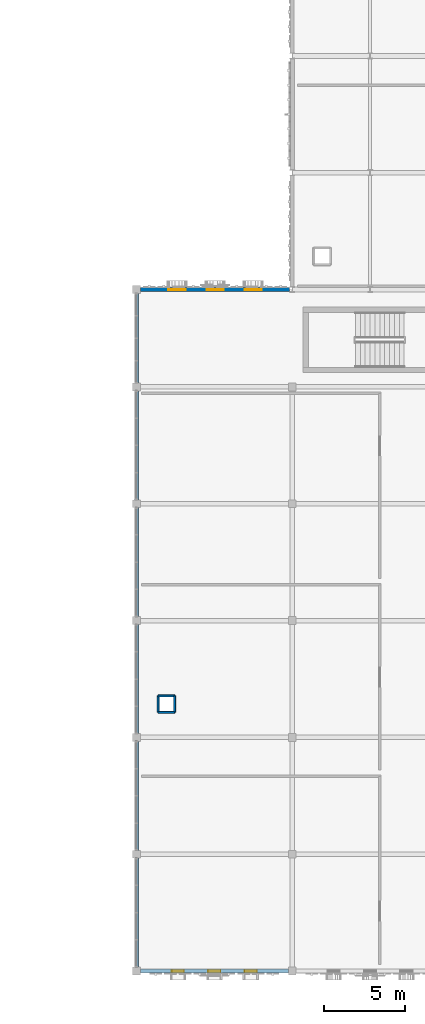
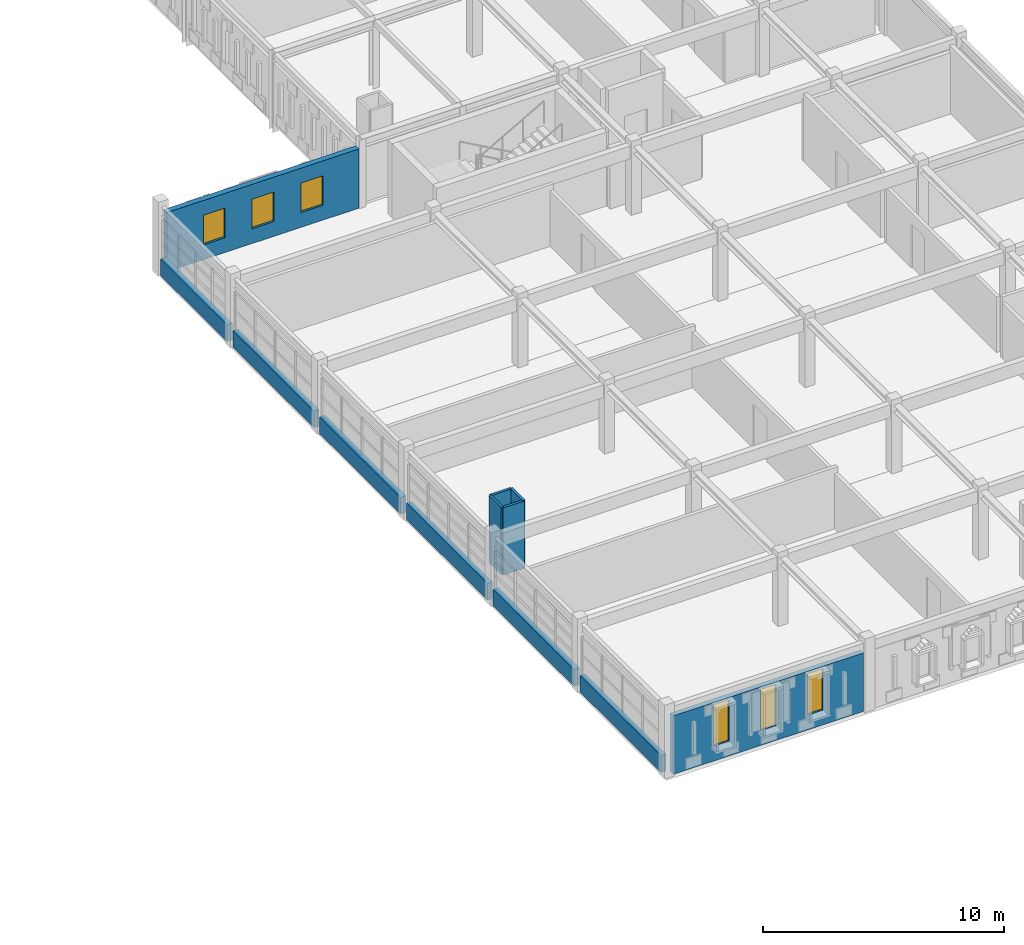
# One storey, part 26 of 53: 12 walls, 6 windows, 6 openings.
"""IFC4 building model written with IfcOpenShell, lengths in metres."""

from ifc_helpers import new_model, si_unit, direction, frame, frame_2d, origin, place, context, subcontext, project, spatial, rectangle, extrude, material, layer, layer_set, type_object, element, fill, save


model = new_model("IFC4")

# Units and contexts
model_context = context("Model", 3, precision=1e-05, world=origin(), true_north=direction((0.0, 1.0)))
body_context = subcontext(model_context, "Body", "Model", "MODEL_VIEW")
ifc_project = project(units=[si_unit("LENGTHUNIT", "METRE"), si_unit("AREAUNIT", "SQUARE_METRE"), si_unit("VOLUMEUNIT", "CUBIC_METRE"), si_unit("PLANEANGLEUNIT", "RADIAN"), si_unit("MASSUNIT", "GRAM", prefix="KILO")], contexts=[model_context])

# Site, building, storey
site_placement = place(None, origin())
site = spatial("IfcSite", under=ifc_project, at=site_placement, CompositionType="ELEMENT")
building_placement = place(site_placement, origin())
building = spatial("IfcBuilding", under=site, at=building_placement, Name="Nzembalo Square Collegiate School", CompositionType="ELEMENT")
storey_placement = place(building_placement, frame((0.0, 0.0, 13.60009765625)))
storey = spatial("IfcBuildingStorey", under=building, at=storey_placement, Name="L03", CompositionType="ELEMENT", Elevation=13.60009765625)

# Walls
ifc_material_1 = material(Name="Concrete C30/37", Category="concrete")
ifc_layer_1 = layer(ifc_material_1, 0.264892578125, Name="Concrete C30/37")
ifc_layer_set_1 = layer_set([ifc_layer_1], Name="Concrete C30/37")
wall_type_1 = type_object("IfcWallType", Name="W06", PredefinedType="SOLIDWALL", material=ifc_layer_set_1)
for number, where, z_axis, x_axis, name in (
    (1, (130.800048828125, 15.842041015625, 0.0), (0.0, 0.0, 1.0), (0.0, 1.0, 0.0), "Spandrel wall W06 L03"),
    (2, (130.800048828125, 30.241943359375, 0.0), (0.0, 0.0, 1.0), (0.0, 1.0, 0.0), "Spandrel wall W06 L03"),
):
    element("IfcWall", number, at=place(storey_placement, frame(where, z_axis=z_axis, x_axis=x_axis)), inside=storey, type_object=wall_type_1, Name=name, PredefinedType="SOLIDWALL", context=body_context, shape_type="SweptSolid", body=[
        extrude(rectangle(XDim=6.716064453125, YDim=0.264892578125, at=frame_2d((3.35791015625, 0.0))), origin(), (0.0, 0.0, 1.0), 0.849853515625),
    ])
wall_1_placement = place(storey_placement, frame((130.800048828125, 44.64208984375, 0.0), z_axis=(0.0, 0.0, 1.0), x_axis=(0.0, 1.0, 0.0)))
element("IfcWall", 3, at=wall_1_placement, inside=storey, type_object=wall_type_1, Name="Spandrel wall W06 L03", PredefinedType="SOLIDWALL", context=body_context, shape_type="SweptSolid", body=[
    extrude(rectangle(XDim=5.515869140625, YDim=0.264892578125, at=frame_2d((2.7578125, 0.0))), origin(), (0.0, 0.0, 1.0), 0.849853515625),
])

# Wall, openings, windows
wall_2_placement = place(storey_placement, frame((131.0419921875, 50.39990234375, 0.0), z_axis=(0.0, 0.0, 1.0), x_axis=(1.0, 0.0, 0.0)))
wall_2 = element("IfcWall", 4, at=wall_2_placement, inside=storey, type_object=wall_type_1, Name="Exterior wall W06 L03", PredefinedType="SOLIDWALL", context=body_context, shape_type="SweptSolid", body=[
    extrude(rectangle(XDim=9.2060546875, YDim=0.264892578125, at=frame_2d((4.60302734375, 0.0))), origin(), (0.0, 0.0, 1.0), 2.9990234375),
])
opening_1_placement = place(wall_2_placement, frame((1.73388671875, 0.0, 0.75)))
opening_1 = element("IfcOpeningElement", 5, at=opening_1_placement, cuts=wall_2, Name="Opening WN-L03-532", PredefinedType="OPENING", context=body_context, shape_type="SweptSolid", body=[
    extrude(rectangle(XDim=1.050048828125, YDim=1.5, at=frame_2d((0.52490234375, 0.75))), frame((0.0, 0.142578125, 0.0), z_axis=(0.0, -1.0, 0.0), x_axis=(1.0, 0.0, 0.0)), (0.0, 0.0, 1.0), 0.284912109375),
])
opening_2_placement = place(wall_2_placement, frame((4.077880859375, 0.0, 0.75)))
opening_2 = element("IfcOpeningElement", 6, at=opening_2_placement, cuts=wall_2, Name="Opening WN-L03-533", PredefinedType="OPENING", context=body_context, shape_type="SweptSolid", body=[
    extrude(rectangle(XDim=1.050048828125, YDim=1.5, at=frame_2d((0.52490234375, 0.75))), frame((0.0, 0.142578125, 0.0), z_axis=(0.0, -1.0, 0.0), x_axis=(1.0, 0.0, 0.0)), (0.0, 0.0, 1.0), 0.284912109375),
])
opening_3_placement = place(wall_2_placement, frame((6.422119140625, 0.0, 0.75)))
opening_3 = element("IfcOpeningElement", 7, at=opening_3_placement, cuts=wall_2, Name="Opening WN-L03-534", PredefinedType="OPENING", context=body_context, shape_type="SweptSolid", body=[
    extrude(rectangle(XDim=1.050048828125, YDim=1.5, at=frame_2d((0.52490234375, 0.75))), frame((0.0, 0.142578125, 0.0), z_axis=(0.0, -1.0, 0.0), x_axis=(1.0, 0.0, 0.0)), (0.0, 0.0, 1.0), 0.284912109375),
])
ifc_material_2 = material(Name="Powder-coated aluminium and low-E double glazing", Category="aluminium")
window_type_1 = type_object("IfcWindowType", Name="WN15", PartitioningType="SINGLE_PANEL", PredefinedType="WINDOW", material=ifc_material_2)
window_1_placement = place(opening_1_placement, origin())
window_1 = element("IfcWindow", 8, at=window_1_placement, inside=storey, type_object=window_type_1, Name="Lancet window WN-L03-532", OverallHeight=1.5, OverallWidth=1.050048828125, PartitioningType="SINGLE_PANEL", PredefinedType="WINDOW", context=body_context, shape_type="SweptSolid", body=[
    extrude(rectangle(XDim=1.050048828125, YDim=1.5, at=frame_2d((0.52490234375, 0.75))), frame((0.0, 0.030029296875, 0.0), z_axis=(0.0, -1.0, 0.0), x_axis=(1.0, 0.0, 0.0)), (0.0, 0.0, 1.0), 0.06005859375),
])
fill(opening_1, window_1)
window_2_placement = place(opening_2_placement, origin())
window_2 = element("IfcWindow", 9, at=window_2_placement, inside=storey, type_object=window_type_1, Name="Lancet window WN-L03-533", OverallHeight=1.5, OverallWidth=1.050048828125, PartitioningType="SINGLE_PANEL", PredefinedType="WINDOW", context=body_context, shape_type="SweptSolid", body=[
    extrude(rectangle(XDim=1.050048828125, YDim=1.5, at=frame_2d((0.52490234375, 0.75))), frame((0.0, 0.030029296875, 0.0), z_axis=(0.0, -1.0, 0.0), x_axis=(1.0, 0.0, 0.0)), (0.0, 0.0, 1.0), 0.06005859375),
])
fill(opening_2, window_2)
window_3_placement = place(opening_3_placement, origin())
window_3 = element("IfcWindow", 10, at=window_3_placement, inside=storey, type_object=window_type_1, Name="Lancet window WN-L03-534", OverallHeight=1.5, OverallWidth=1.050048828125, PartitioningType="SINGLE_PANEL", PredefinedType="WINDOW", context=body_context, shape_type="SweptSolid", body=[
    extrude(rectangle(XDim=1.050048828125, YDim=1.5, at=frame_2d((0.52490234375, 0.75))), frame((0.0, 0.030029296875, 0.0), z_axis=(0.0, -1.0, 0.0), x_axis=(1.0, 0.0, 0.0)), (0.0, 0.0, 1.0), 0.06005859375),
])
fill(opening_3, window_3)

# Walls
ifc_material_3 = material(Name="CLT CL24", Category="wood")
ifc_layer_2 = layer(ifc_material_3, 0.2451171875, Name="CLT CL24")
ifc_layer_set_2 = layer_set([ifc_layer_2], Name="CLT CL24")
wall_type_2 = type_object("IfcWallType", Name="W07", PredefinedType="SOLIDWALL", material=ifc_layer_set_2)
wall_3_placement = place(storey_placement, frame((130.800048828125, 8.64208984375, 0.0), z_axis=(0.0, 0.0, 1.0), x_axis=(0.0, 1.0, 0.0)))
element("IfcWall", 11, at=wall_3_placement, inside=storey, type_object=wall_type_2, Name="Spandrel wall W07 L03", PredefinedType="SOLIDWALL", context=body_context, shape_type="SweptSolid", body=[
    extrude(rectangle(XDim=6.7158203125, YDim=0.2451171875, at=frame_2d((3.35791015625, 0.0))), origin(), (0.0, 0.0, 1.0), 0.849853515625),
])
for number, where, z_axis, x_axis, name in (
    (12, (130.800048828125, 23.0419921875, 0.0), (0.0, 0.0, 1.0), (0.0, 1.0, 0.0), "Spandrel wall W07 L03"),
    (13, (130.800048828125, 37.44189453125, 0.0), (0.0, 0.0, 1.0), (0.0, 1.0, 0.0), "Spandrel wall W07 L03"),
):
    element("IfcWall", number, at=place(storey_placement, frame(where, z_axis=z_axis, x_axis=x_axis)), inside=storey, type_object=wall_type_2, Name=name, PredefinedType="SOLIDWALL", context=body_context, shape_type="SweptSolid", body=[
        extrude(rectangle(XDim=6.716064453125, YDim=0.2451171875, at=frame_2d((3.35791015625, 0.0))), origin(), (0.0, 0.0, 1.0), 0.849853515625),
    ])

# Wall, openings, windows
wall_4_placement = place(storey_placement, frame((131.0419921875, 8.39990234375, 0.0), z_axis=(0.0, 0.0, 1.0), x_axis=(1.0, 0.0, 0.0)))
wall_4 = element("IfcWall", 14, at=wall_4_placement, inside=storey, type_object=wall_type_2, Name="Exterior wall W07 L03", PredefinedType="SOLIDWALL", context=body_context, shape_type="SweptSolid", body=[
    extrude(rectangle(XDim=9.115966796875, YDim=0.2451171875, at=frame_2d((4.55810546875, 0.0))), origin(), (0.0, 0.0, 1.0), 2.968994140625),
])
opening_4_placement = place(wall_4_placement, frame((1.9365234375, 0.0, 0.75)))
opening_4 = element("IfcOpeningElement", 15, at=opening_4_placement, cuts=wall_4, Name="Opening WN-L03-667", PredefinedType="OPENING", context=body_context, shape_type="SweptSolid", body=[
    extrude(rectangle(XDim=0.75, YDim=2.10009765625, at=frame_2d((0.375, 1.050048828125))), frame((0.0, 0.132568359375, 0.0), z_axis=(0.0, -1.0, 0.0), x_axis=(1.0, 0.0, 0.0)), (0.0, 0.0, 1.0), 0.26513671875),
])
opening_5_placement = place(wall_4_placement, frame((4.18310546875, 0.0, 0.75)))
opening_5 = element("IfcOpeningElement", 16, at=opening_5_placement, cuts=wall_4, Name="Opening WN-L03-668", PredefinedType="OPENING", context=body_context, shape_type="SweptSolid", body=[
    extrude(rectangle(XDim=0.75, YDim=2.10009765625, at=frame_2d((0.375, 1.050048828125))), frame((0.0, 0.132568359375, 0.0), z_axis=(0.0, -1.0, 0.0), x_axis=(1.0, 0.0, 0.0)), (0.0, 0.0, 1.0), 0.26513671875),
])
opening_6_placement = place(wall_4_placement, frame((6.429443359375, 0.0, 0.75)))
opening_6 = element("IfcOpeningElement", 17, at=opening_6_placement, cuts=wall_4, Name="Opening WN-L03-669", PredefinedType="OPENING", context=body_context, shape_type="SweptSolid", body=[
    extrude(rectangle(XDim=0.75, YDim=2.10009765625, at=frame_2d((0.375, 1.050048828125))), frame((0.0, 0.132568359375, 0.0), z_axis=(0.0, -1.0, 0.0), x_axis=(1.0, 0.0, 0.0)), (0.0, 0.0, 1.0), 0.26513671875),
])
ifc_material_4 = material(Name="Powder-coated aluminium and low-E double glazing", Category="aluminium")
window_type_2 = type_object("IfcWindowType", Name="WN02", PartitioningType="SINGLE_PANEL", PredefinedType="WINDOW", material=ifc_material_4)
window_4_placement = place(opening_4_placement, origin())
window_4 = element("IfcWindow", 18, at=window_4_placement, inside=storey, type_object=window_type_2, Name="Lancet window WN-L03-667", OverallHeight=2.10009765625, OverallWidth=0.75, PartitioningType="SINGLE_PANEL", PredefinedType="WINDOW", context=body_context, shape_type="SweptSolid", body=[
    extrude(rectangle(XDim=0.75, YDim=2.10009765625, at=frame_2d((0.375, 1.050048828125))), frame((0.0, 0.030029296875, 0.0), z_axis=(0.0, -1.0, 0.0), x_axis=(1.0, 0.0, 0.0)), (0.0, 0.0, 1.0), 0.06005859375),
])
fill(opening_4, window_4)
window_5_placement = place(opening_5_placement, origin())
window_5 = element("IfcWindow", 19, at=window_5_placement, inside=storey, type_object=window_type_2, Name="Lancet window WN-L03-668", OverallHeight=2.10009765625, OverallWidth=0.75, PartitioningType="SINGLE_PANEL", PredefinedType="WINDOW", context=body_context, shape_type="SweptSolid", body=[
    extrude(rectangle(XDim=0.75, YDim=2.10009765625, at=frame_2d((0.375, 1.050048828125))), frame((0.0, 0.030029296875, 0.0), z_axis=(0.0, -1.0, 0.0), x_axis=(1.0, 0.0, 0.0)), (0.0, 0.0, 1.0), 0.06005859375),
])
fill(opening_5, window_5)
window_6_placement = place(opening_6_placement, origin())
window_6 = element("IfcWindow", 20, at=window_6_placement, inside=storey, type_object=window_type_2, Name="Lancet window WN-L03-669", OverallHeight=2.10009765625, OverallWidth=0.75, PartitioningType="SINGLE_PANEL", PredefinedType="WINDOW", context=body_context, shape_type="SweptSolid", body=[
    extrude(rectangle(XDim=0.75, YDim=2.10009765625, at=frame_2d((0.375, 1.050048828125))), frame((0.0, 0.030029296875, 0.0), z_axis=(0.0, -1.0, 0.0), x_axis=(1.0, 0.0, 0.0)), (0.0, 0.0, 1.0), 0.06005859375),
])
fill(opening_6, window_6)

# Walls
ifc_material_5 = material(Name="Fire-rated shaftwall stud")
ifc_layer_3 = layer(ifc_material_5, 0.1201171875, Name="Fire-rated shaftwall stud")
ifc_layer_set_3 = layer_set([ifc_layer_3], Name="Fire-rated shaftwall stud")
wall_type_3 = type_object("IfcWallType", Name="W23", PredefinedType="PARTITIONING", material=ifc_layer_set_3)
for number, where, z_axis, x_axis, name in (
    (21, (132.139892578125, 24.340087890625, 0.0), (0.0, 0.0, 1.0), (1.0, 0.0, 0.0), "Service riser shaftwall W23-021-1"),
    (22, (133.159912109375, 24.340087890625, 0.0), (0.0, 0.0, 1.0), (0.0, 1.0, 0.0), "Service riser shaftwall W23-021-2"),
    (23, (133.159912109375, 25.360107421875, 0.0), (0.0, 0.0, 1.0), (-1.0, 0.0, 0.0), "Service riser shaftwall W23-021-3"),
    (24, (132.139892578125, 25.360107421875, 0.0), (0.0, 0.0, 1.0), (0.0, -1.0, 0.0), "Service riser shaftwall W23-021-4"),
):
    element("IfcWall", number, at=place(storey_placement, frame(where, z_axis=z_axis, x_axis=x_axis)), inside=storey, type_object=wall_type_3, Name=name, PredefinedType="PARTITIONING", context=body_context, shape_type="SweptSolid", body=[
        extrude(rectangle(XDim=1.02001953125, YDim=0.1201171875, at=frame_2d((0.510009765625, 0.0))), origin(), (0.0, 0.0, 1.0), 3.413818359375),
    ])

save(model, "model.ifc")
